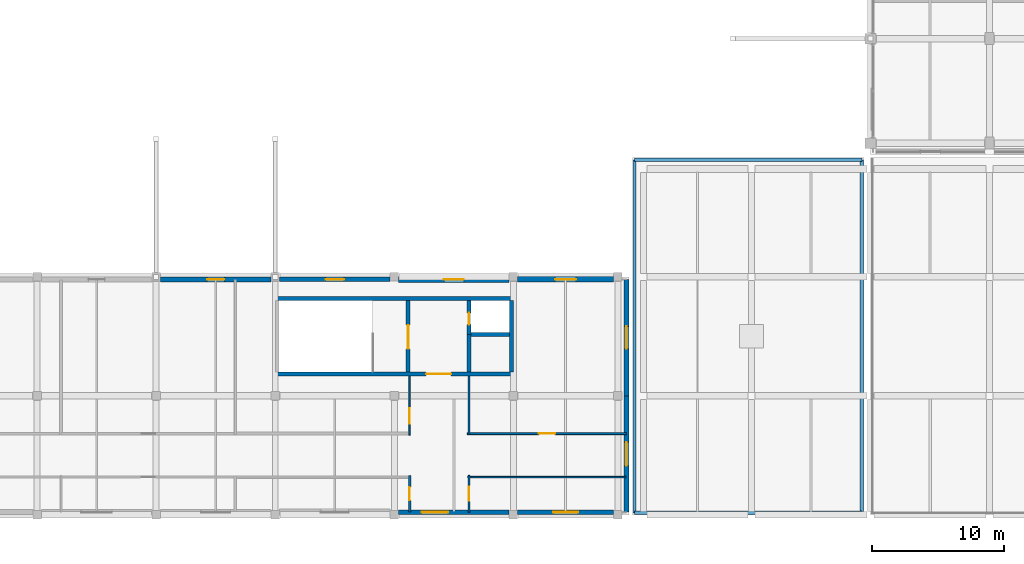
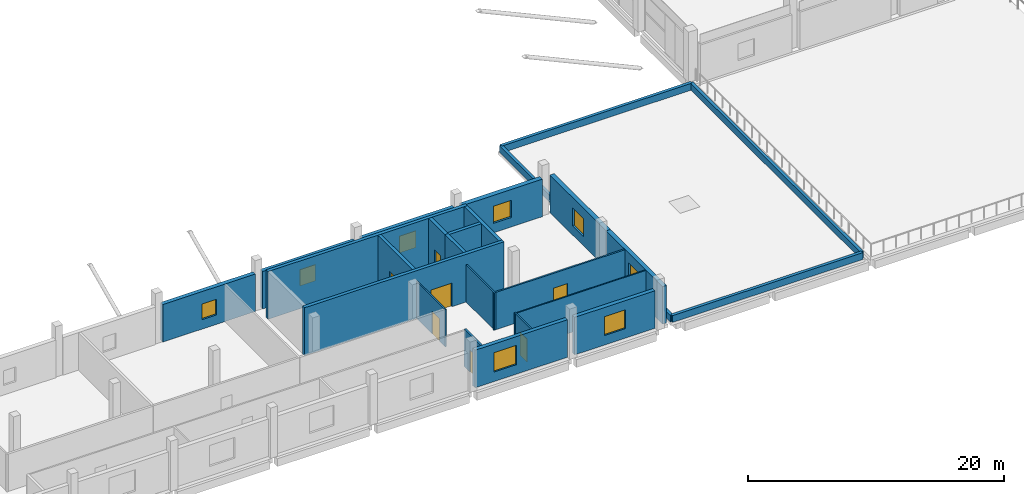
# One storey, part 53 of 82: 25 walls, 8 windows, 7 doors, 15 openings.
"""IFC4 building model written with IfcOpenShell, lengths in metres."""

from ifc_helpers import new_model, si_unit, direction, frame, frame_2d, origin, place, context, subcontext, project, spatial, rectangle, extrude, material, layer, layer_set, type_object, element, fill, save


model = new_model("IFC4")

# Units and contexts
model_context = context("Model", 3, precision=1e-05, world=origin(), true_north=direction((0.0, 1.0)))
body_context = subcontext(model_context, "Body", "Model", "MODEL_VIEW")
ifc_project = project(units=[si_unit("LENGTHUNIT", "METRE"), si_unit("AREAUNIT", "SQUARE_METRE"), si_unit("VOLUMEUNIT", "CUBIC_METRE"), si_unit("PLANEANGLEUNIT", "RADIAN"), si_unit("MASSUNIT", "GRAM", prefix="KILO"), si_unit("THERMODYNAMICTEMPERATUREUNIT", "KELVIN"), si_unit("POWERUNIT", "WATT")], contexts=[model_context])

# Site, building, storey
site_placement = place(None, origin())
site = spatial("IfcSite", under=ifc_project, at=site_placement, CompositionType="ELEMENT")
building_placement = place(site_placement, origin())
building = spatial("IfcBuilding", under=site, at=building_placement, Name="Sindhuravela Promenade Stadium", CompositionType="ELEMENT")
storey_placement = place(building_placement, frame((0.0, 0.0, 14.39990234375)))
storey = spatial("IfcBuildingStorey", under=building, at=storey_placement, Name="L03", CompositionType="ELEMENT", Elevation=14.39990234375)

# Wall, opening, window
ifc_material_1 = material(Name="Terracotta clay brick masonry (15 MPa)", Category="masonry")
ifc_layer_1 = layer(ifc_material_1, 0.340087890625)
ifc_layer_set_1 = layer_set([ifc_layer_1], Name="Terracotta clay brick masonry (15 MPa)")
wall_type_1 = type_object("IfcWallType", Name="EX-WL-BRK340", PredefinedType="SOLIDWALL", material=ifc_layer_set_1)
wall_1_placement = place(storey_placement, frame((135.330078125, 26.800048828125, 0.0), z_axis=(0.0, 0.0, 1.0), x_axis=(1.0, 0.0, 0.0)))
wall_1 = element("IfcWall", 1, at=wall_1_placement, inside=storey, type_object=wall_type_1, Name="Exterior masonry wall EW06 SOUTH L03", PredefinedType="SOLIDWALL", context=body_context, shape_type="SweptSolid", body=[
    extrude(rectangle(XDim=8.33984375, YDim=0.340087890625, at=frame_2d((4.169921875, 0.0))), origin(), (0.0, 0.0, 1.0), 3.580078125),
])
opening_1_placement = place(wall_1_placement, frame((3.469970703125, 0.0, 0.89990234375)))
opening_1 = element("IfcOpeningElement", 2, at=opening_1_placement, cuts=wall_1, Name="Opening W04", PredefinedType="OPENING", context=body_context, shape_type="SweptSolid", body=[
    extrude(rectangle(XDim=1.39990234375, YDim=1.550048828125, at=frame_2d((0.699951171875, 0.77490234375))), frame((0.0, 0.179931640625, 0.0), z_axis=(0.0, -1.0, 0.0), x_axis=(1.0, 0.0, 0.0)), (0.0, 0.0, 1.0), 0.360107421875),
])
ifc_material_2 = material(Name="Tempered laminated low-E glass", Category="glass")
window_type_1 = type_object("IfcWindowType", Name="WN-FAC-1400x1550", PartitioningType="SINGLE_PANEL", PredefinedType="WINDOW", material=ifc_material_2)
window_1_placement = place(opening_1_placement, origin())
window_1 = element("IfcWindow", 3, at=window_1_placement, inside=storey, type_object=window_type_1, Name="Window W04 SOUTH L03", OverallHeight=1.550048828125, OverallWidth=1.39990234375, PartitioningType="SINGLE_PANEL", PredefinedType="WINDOW", context=body_context, shape_type="SweptSolid", body=[
    extrude(rectangle(XDim=1.39990234375, YDim=1.550048828125, at=frame_2d((0.699951171875, 0.77490234375))), frame((0.0, 0.030029296875, 0.0), z_axis=(0.0, -1.0, 0.0), x_axis=(1.0, 0.0, 0.0)), (0.0, 0.0, 1.0), 0.06005859375),
])
fill(opening_1, window_1)

wall_2_placement = place(storey_placement, frame((152.669921875, 9.199951171875, 0.0), z_axis=(0.0, 0.0, 1.0), x_axis=(-1.0, 0.0, 0.0)))
wall_2 = element("IfcWall", 4, at=wall_2_placement, inside=storey, type_object=wall_type_1, Name="Exterior masonry wall EW06 SOUTH L03", PredefinedType="SOLIDWALL", context=body_context, shape_type="SweptSolid", body=[
    extrude(rectangle(XDim=8.33984375, YDim=0.340087890625, at=frame_2d((4.169921875, 0.0))), origin(), (0.0, 0.0, 1.0), 3.580078125),
])
opening_2_placement = place(wall_2_placement, frame((4.60009765625, 0.0, 0.89990234375)))
opening_2 = element("IfcOpeningElement", 5, at=opening_2_placement, cuts=wall_2, Name="Opening W10", PredefinedType="OPENING", context=body_context, shape_type="SweptSolid", body=[
    extrude(rectangle(XDim=2.0, YDim=1.85009765625, at=frame_2d((1.0, 0.925048828125))), frame((0.0, 0.179931640625, 0.0), z_axis=(0.0, -1.0, 0.0), x_axis=(1.0, 0.0, 0.0)), (0.0, 0.0, 1.0), 0.360107421875),
])
window_type_2 = type_object("IfcWindowType", Name="WN-FAC-2000x1850", PartitioningType="DOUBLE_PANEL_VERTICAL", PredefinedType="WINDOW", material=ifc_material_2)
window_2_placement = place(opening_2_placement, origin())
window_2 = element("IfcWindow", 6, at=window_2_placement, inside=storey, type_object=window_type_2, Name="Window W10 SOUTH L03", OverallHeight=1.85009765625, OverallWidth=2.0, PartitioningType="DOUBLE_PANEL_VERTICAL", PredefinedType="WINDOW", context=body_context, shape_type="SweptSolid", body=[
    extrude(rectangle(XDim=2.0, YDim=1.85009765625, at=frame_2d((1.0, 0.925048828125))), frame((0.0, 0.030029296875, 0.0), z_axis=(0.0, -1.0, 0.0), x_axis=(1.0, 0.0, 0.0)), (0.0, 0.0, 1.0), 0.06005859375),
])
fill(opening_2, window_2)

ifc_layer_2 = layer(ifc_material_1, 0.360107421875)
ifc_layer_set_2 = layer_set([ifc_layer_2], Name="Terracotta clay brick masonry (15 MPa)")
wall_type_2 = type_object("IfcWallType", Name="EX-WL-BRK360", PredefinedType="SOLIDWALL", material=ifc_layer_set_2)
wall_3_placement = place(storey_placement, frame((126.330078125, 26.800048828125, 0.0), z_axis=(0.0, 0.0, 1.0), x_axis=(1.0, 0.0, 0.0)))
wall_3 = element("IfcWall", 7, at=wall_3_placement, inside=storey, type_object=wall_type_2, Name="Exterior masonry wall EW05 SOUTH L03", PredefinedType="SOLIDWALL", context=body_context, shape_type="SweptSolid", body=[
    extrude(rectangle(XDim=8.33984375, YDim=0.360107421875, at=frame_2d((4.169921875, 0.0))), origin(), (0.0, 0.0, 1.0), 3.580078125),
])
opening_3_placement = place(wall_3_placement, frame((3.52001953125, 0.0, 0.89990234375)))
opening_3 = element("IfcOpeningElement", 8, at=opening_3_placement, cuts=wall_3, Name="Opening W03", PredefinedType="OPENING", context=body_context, shape_type="SweptSolid", body=[
    extrude(rectangle(XDim=1.300048828125, YDim=1.5, at=frame_2d((0.64990234375, 0.75))), frame((0.0, 0.18994140625, 0.0), z_axis=(0.0, -1.0, 0.0), x_axis=(1.0, 0.0, 0.0)), (0.0, 0.0, 1.0), 0.380126953125),
])
window_type_3 = type_object("IfcWindowType", Name="WN-FAC-1300x1500", PartitioningType="SINGLE_PANEL", PredefinedType="WINDOW", material=ifc_material_2)
window_3_placement = place(opening_3_placement, origin())
window_3 = element("IfcWindow", 9, at=window_3_placement, inside=storey, type_object=window_type_3, Name="Window W03 SOUTH L03", OverallHeight=1.5, OverallWidth=1.300048828125, PartitioningType="SINGLE_PANEL", PredefinedType="WINDOW", context=body_context, shape_type="SweptSolid", body=[
    extrude(rectangle(XDim=1.300048828125, YDim=1.5, at=frame_2d((0.64990234375, 0.75))), frame((0.0, 0.030029296875, 0.0), z_axis=(0.0, -1.0, 0.0), x_axis=(1.0, 0.0, 0.0)), (0.0, 0.0, 1.0), 0.06005859375),
])
fill(opening_3, window_3)

wall_4_placement = place(storey_placement, frame((160.570068359375, 9.199951171875, 0.0), z_axis=(0.0, 0.0, 1.0), x_axis=(-1.0, 0.0, 0.0)))
wall_4 = element("IfcWall", 10, at=wall_4_placement, inside=storey, type_object=wall_type_2, Name="Exterior masonry wall EW05 SOUTH L03", PredefinedType="SOLIDWALL", context=body_context, shape_type="SweptSolid", body=[
    extrude(rectangle(XDim=7.239990234375, YDim=0.360107421875, at=frame_2d((3.6201171875, 0.0))), origin(), (0.0, 0.0, 1.0), 3.580078125),
])
opening_4_placement = place(wall_4_placement, frame((2.669921875, 0.0, 0.89990234375)))
opening_4 = element("IfcOpeningElement", 11, at=opening_4_placement, cuts=wall_4, Name="Opening W09", PredefinedType="OPENING", context=body_context, shape_type="SweptSolid", body=[
    extrude(rectangle(XDim=1.89990234375, YDim=1.800048828125, at=frame_2d((0.949951171875, 0.89990234375))), frame((0.0, 0.18994140625, 0.0), z_axis=(0.0, -1.0, 0.0), x_axis=(1.0, 0.0, 0.0)), (0.0, 0.0, 1.0), 0.380126953125),
])
window_type_4 = type_object("IfcWindowType", Name="WN-FAC-1900x1800", PartitioningType="DOUBLE_PANEL_VERTICAL", PredefinedType="WINDOW", material=ifc_material_2)
window_4_placement = place(opening_4_placement, origin())
window_4 = element("IfcWindow", 12, at=window_4_placement, inside=storey, type_object=window_type_4, Name="Window W09 SOUTH L03", OverallHeight=1.800048828125, OverallWidth=1.89990234375, PartitioningType="DOUBLE_PANEL_VERTICAL", PredefinedType="WINDOW", context=body_context, shape_type="SweptSolid", body=[
    extrude(rectangle(XDim=1.89990234375, YDim=1.800048828125, at=frame_2d((0.949951171875, 0.89990234375))), frame((0.0, 0.030029296875, 0.0), z_axis=(0.0, -1.0, 0.0), x_axis=(1.0, 0.0, 0.0)), (0.0, 0.0, 1.0), 0.06005859375),
])
fill(opening_4, window_4)

ifc_layer_3 = layer(ifc_material_1, 0.3798828125)
ifc_layer_set_3 = layer_set([ifc_layer_3], Name="Terracotta clay brick masonry (15 MPa)")
wall_type_3 = type_object("IfcWallType", Name="EX-WL-BRK380", PredefinedType="SOLIDWALL", material=ifc_layer_set_3)
wall_5_placement = place(storey_placement, frame((161.550048828125, 18.0, 0.0), z_axis=(0.0, 0.0, 1.0), x_axis=(0.0, -1.0, 0.0)))
wall_5 = element("IfcWall", 13, at=wall_5_placement, inside=storey, type_object=wall_type_3, Name="Exterior masonry wall EW04 SOUTH L03", PredefinedType="SOLIDWALL", context=body_context, shape_type="SweptSolid", body=[
    extrude(rectangle(XDim=8.800048828125, YDim=0.3798828125, at=frame_2d((4.39990234375, 0.0))), origin(), (0.0, 0.0, 1.0), 3.580078125),
])
opening_5_placement = place(wall_5_placement, frame((3.5, 0.0, 0.89990234375)))
opening_5 = element("IfcOpeningElement", 14, at=opening_5_placement, cuts=wall_5, Name="Opening W08", PredefinedType="OPENING", context=body_context, shape_type="SweptSolid", body=[
    extrude(rectangle(XDim=1.800048828125, YDim=1.75, at=frame_2d((0.89990234375, 0.875))), frame((0.0, 0.199951171875, 0.0), z_axis=(0.0, -1.0, 0.0), x_axis=(1.0, 0.0, 0.0)), (0.0, 0.0, 1.0), 0.39990234375),
])
window_type_5 = type_object("IfcWindowType", Name="WN-FAC-1800x1750", PartitioningType="DOUBLE_PANEL_VERTICAL", PredefinedType="WINDOW", material=ifc_material_2)
window_5_placement = place(opening_5_placement, origin())
window_5 = element("IfcWindow", 15, at=window_5_placement, inside=storey, type_object=window_type_5, Name="Window W08 SOUTH L03", OverallHeight=1.75, OverallWidth=1.800048828125, PartitioningType="DOUBLE_PANEL_VERTICAL", PredefinedType="WINDOW", context=body_context, shape_type="SweptSolid", body=[
    extrude(rectangle(XDim=1.800048828125, YDim=1.75, at=frame_2d((0.89990234375, 0.875))), frame((0.0, 0.030029296875, 0.0), z_axis=(0.0, -1.0, 0.0), x_axis=(1.0, 0.0, 0.0)), (0.0, 0.0, 1.0), 0.06005859375),
])
fill(opening_5, window_5)

ifc_layer_4 = layer(ifc_material_1, 0.39990234375)
ifc_layer_set_4 = layer_set([ifc_layer_4], Name="Terracotta clay brick masonry (15 MPa)")
wall_type_4 = type_object("IfcWallType", Name="EX-WL-BRK400", PredefinedType="SOLIDWALL", material=ifc_layer_set_4)
wall_6_placement = place(storey_placement, frame((161.550048828125, 26.800048828125, 0.0), z_axis=(0.0, 0.0, 1.0), x_axis=(0.0, -1.0, 0.0)))
wall_6 = element("IfcWall", 16, at=wall_6_placement, inside=storey, type_object=wall_type_4, Name="Exterior masonry wall EW03 SOUTH L03", PredefinedType="SOLIDWALL", context=body_context, shape_type="SweptSolid", body=[
    extrude(rectangle(XDim=8.800048828125, YDim=0.39990234375, at=frame_2d((4.39990234375, 0.0))), origin(), (0.0, 0.0, 1.0), 3.580078125),
])
opening_6_placement = place(wall_6_placement, frame((3.550048828125, 0.0, 0.89990234375)))
opening_6 = element("IfcOpeningElement", 17, at=opening_6_placement, cuts=wall_6, Name="Opening W07", PredefinedType="OPENING", context=body_context, shape_type="SweptSolid", body=[
    extrude(rectangle(XDim=1.699951171875, YDim=1.699951171875, at=frame_2d((0.85009765625, 0.85009765625))), frame((0.0, 0.2099609375, 0.0), z_axis=(0.0, -1.0, 0.0), x_axis=(1.0, 0.0, 0.0)), (0.0, 0.0, 1.0), 0.419921875),
])
window_type_6 = type_object("IfcWindowType", Name="WN-FAC-1700x1700", PartitioningType="SINGLE_PANEL", PredefinedType="WINDOW", material=ifc_material_2)
window_6_placement = place(opening_6_placement, origin())
window_6 = element("IfcWindow", 18, at=window_6_placement, inside=storey, type_object=window_type_6, Name="Window W07 SOUTH L03", OverallHeight=1.699951171875, OverallWidth=1.699951171875, PartitioningType="SINGLE_PANEL", PredefinedType="WINDOW", context=body_context, shape_type="SweptSolid", body=[
    extrude(rectangle(XDim=1.699951171875, YDim=1.699951171875, at=frame_2d((0.85009765625, 0.85009765625))), frame((0.0, 0.030029296875, 0.0), z_axis=(0.0, -1.0, 0.0), x_axis=(1.0, 0.0, 0.0)), (0.0, 0.0, 1.0), 0.06005859375),
])
fill(opening_6, window_6)

ifc_layer_5 = layer(ifc_material_1, 0.419921875)
ifc_layer_set_5 = layer_set([ifc_layer_5], Name="Terracotta clay brick masonry (15 MPa)")
wall_type_5 = type_object("IfcWallType", Name="EX-WL-BRK420", PredefinedType="SOLIDWALL", material=ifc_layer_set_5)
wall_7_placement = place(storey_placement, frame((153.330078125, 26.800048828125, 0.0), z_axis=(0.0, 0.0, 1.0), x_axis=(1.0, 0.0, 0.0)))
wall_7 = element("IfcWall", 19, at=wall_7_placement, inside=storey, type_object=wall_type_5, Name="Exterior masonry wall EW02 SOUTH L03", PredefinedType="SOLIDWALL", context=body_context, shape_type="SweptSolid", body=[
    extrude(rectangle(XDim=7.239990234375, YDim=0.419921875, at=frame_2d((3.6201171875, 0.0))), origin(), (0.0, 0.0, 1.0), 3.580078125),
])
opening_7_placement = place(wall_7_placement, frame((2.820068359375, 0.0, 0.89990234375)))
opening_7 = element("IfcOpeningElement", 20, at=opening_7_placement, cuts=wall_7, Name="Opening W06", PredefinedType="OPENING", context=body_context, shape_type="SweptSolid", body=[
    extrude(rectangle(XDim=1.60009765625, YDim=1.64990234375, at=frame_2d((0.800048828125, 0.824951171875))), frame((0.0, 0.219970703125, 0.0), z_axis=(0.0, -1.0, 0.0), x_axis=(1.0, 0.0, 0.0)), (0.0, 0.0, 1.0), 0.43994140625),
])
window_type_7 = type_object("IfcWindowType", Name="WN-FAC-1600x1650", PartitioningType="SINGLE_PANEL", PredefinedType="WINDOW", material=ifc_material_2)
window_7_placement = place(opening_7_placement, origin())
window_7 = element("IfcWindow", 21, at=window_7_placement, inside=storey, type_object=window_type_7, Name="Window W06 SOUTH L03", OverallHeight=1.64990234375, OverallWidth=1.60009765625, PartitioningType="SINGLE_PANEL", PredefinedType="WINDOW", context=body_context, shape_type="SweptSolid", body=[
    extrude(rectangle(XDim=1.60009765625, YDim=1.64990234375, at=frame_2d((0.800048828125, 0.824951171875))), frame((0.0, 0.030029296875, 0.0), z_axis=(0.0, -1.0, 0.0), x_axis=(1.0, 0.0, 0.0)), (0.0, 0.0, 1.0), 0.06005859375),
])
fill(opening_7, window_7)

ifc_layer_6 = layer(ifc_material_1, 0.4599609375)
ifc_layer_set_6 = layer_set([ifc_layer_6], Name="Terracotta clay brick masonry (15 MPa)")
wall_type_6 = type_object("IfcWallType", Name="EX-WL-BRK460", PredefinedType="SOLIDWALL", material=ifc_layer_set_6)
wall_8_placement = place(storey_placement, frame((144.330078125, 26.800048828125, 0.0), z_axis=(0.0, 0.0, 1.0), x_axis=(1.0, 0.0, 0.0)))
wall_8 = element("IfcWall", 22, at=wall_8_placement, inside=storey, type_object=wall_type_6, Name="Exterior masonry wall EW01 SOUTH L03", PredefinedType="SOLIDWALL", context=body_context, shape_type="SweptSolid", body=[
    extrude(rectangle(XDim=8.33984375, YDim=0.4599609375, at=frame_2d((4.169921875, 0.0))), origin(), (0.0, 0.0, 1.0), 3.580078125),
])
opening_8_placement = place(wall_8_placement, frame((3.419921875, 0.0, 0.89990234375)))
opening_8 = element("IfcOpeningElement", 23, at=opening_8_placement, cuts=wall_8, Name="Opening W05", PredefinedType="OPENING", context=body_context, shape_type="SweptSolid", body=[
    extrude(rectangle(XDim=1.5, YDim=1.60009765625, at=frame_2d((0.75, 0.800048828125))), frame((0.0, 0.239990234375, 0.0), z_axis=(0.0, -1.0, 0.0), x_axis=(1.0, 0.0, 0.0)), (0.0, 0.0, 1.0), 0.47998046875),
])
window_type_8 = type_object("IfcWindowType", Name="WN-FAC-1500x1600", PartitioningType="SINGLE_PANEL", PredefinedType="WINDOW", material=ifc_material_2)
window_8_placement = place(opening_8_placement, origin())
window_8 = element("IfcWindow", 24, at=window_8_placement, inside=storey, type_object=window_type_8, Name="Window W05 SOUTH L03", OverallHeight=1.60009765625, OverallWidth=1.5, PartitioningType="SINGLE_PANEL", PredefinedType="WINDOW", context=body_context, shape_type="SweptSolid", body=[
    extrude(rectangle(XDim=1.5, YDim=1.60009765625, at=frame_2d((0.75, 0.800048828125))), frame((0.0, 0.030029296875, 0.0), z_axis=(0.0, -1.0, 0.0), x_axis=(1.0, 0.0, 0.0)), (0.0, 0.0, 1.0), 0.06005859375),
])
fill(opening_8, window_8)

# Walls
ifc_material_3 = material(Name="Dholpur sandstone ashlar (45 MPa)", Category="masonry")
ifc_layer_7 = layer(ifc_material_3, 0.25)
ifc_layer_set_7 = layer_set([ifc_layer_7], Name="Dholpur sandstone ashlar (45 MPa)")
wall_type_7 = type_object("IfcWallType", Name="EX-WL-PAR250", PredefinedType="PARAPET", material=ifc_layer_set_7)
for number, where, z_axis, x_axis, name in (
    (25, (162.159912109375, 9.159912109375, 0.0), (0.0, 0.0, 1.0), (0.0, 1.0, 0.0), "Maintenance roof parapet Pavilion SE 23"),
    (26, (179.340087890625, 35.840087890625, 0.0), (0.0, 0.0, 1.0), (0.0, -1.0, 0.0), "Maintenance roof parapet Pavilion SE 25"),
):
    element("IfcWall", number, at=place(storey_placement, frame(where, z_axis=z_axis, x_axis=x_axis)), inside=storey, type_object=wall_type_7, Name=name, PredefinedType="PARAPET", context=body_context, shape_type="SweptSolid", body=[
        extrude(rectangle(XDim=26.68017578125, YDim=0.25, at=frame_2d((13.340087890625, 0.0))), origin(), (0.0, 0.0, 1.0), 0.650146484375),
    ])
ifc_layer_8 = layer(ifc_material_1, 0.27001953125)
ifc_layer_set_8 = layer_set([ifc_layer_8], Name="Terracotta clay brick masonry (15 MPa)")
wall_type_8 = type_object("IfcWallType", Name="EX-WL-PAR270", PredefinedType="PARAPET", material=ifc_layer_set_8)
for number, where, z_axis, x_axis, name in (
    (27, (179.340087890625, 9.159912109375, 0.0), (0.0, 0.0, 1.0), (-1.0, 0.0, 0.0), "Maintenance roof parapet Pavilion SE 22"),
    (28, (162.159912109375, 35.840087890625, 0.0), (0.0, 0.0, 1.0), (1.0, 0.0, 0.0), "Maintenance roof parapet Pavilion SE 24"),
):
    element("IfcWall", number, at=place(storey_placement, frame(where, z_axis=z_axis, x_axis=x_axis)), inside=storey, type_object=wall_type_8, Name=name, PredefinedType="PARAPET", context=body_context, shape_type="SweptSolid", body=[
        extrude(rectangle(XDim=17.18017578125, YDim=0.27001953125, at=frame_2d((8.590087890625, 0.0))), origin(), (0.0, 0.0, 1.0), 0.650146484375),
    ])

# Wall, opening, door
ifc_material_4 = material(Name="Fire-rated gypsum partition board", Category="gypsum")
ifc_layer_9 = layer(ifc_material_4, 0.110107421875)
ifc_layer_set_9 = layer_set([ifc_layer_9], Name="Fire-rated gypsum partition board")
wall_type_9 = type_object("IfcWallType", Name="IN-WL-PAR110", PredefinedType="PARTITIONING", material=ifc_layer_set_9)
wall_9_placement = place(storey_placement, frame((145.159912109375, 15.02001953125, 0.0), z_axis=(0.0, 0.0, 1.0), x_axis=(0.0, 1.0, 0.0)))
wall_9 = element("IfcWall", 29, at=wall_9_placement, inside=storey, type_object=wall_type_9, Name="Corridor partition IW06 South Community Lecture Hall 2", PredefinedType="PARTITIONING", context=body_context, shape_type="SweptSolid", body=[
    extrude(rectangle(XDim=4.47802734375, YDim=0.110107421875, at=frame_2d((2.239013671875, 0.0))), origin(), (0.0, 0.0, 1.0), 3.56005859375),
])
opening_9_placement = place(wall_9_placement, frame((0.876220703125, 0.0, 0.0)))
opening_9 = element("IfcOpeningElement", 30, at=opening_9_placement, cuts=wall_9, Name="Opening ID05", PredefinedType="OPENING", context=body_context, shape_type="SweptSolid", body=[
    extrude(rectangle(XDim=1.14990234375, YDim=2.14990234375, at=frame_2d((0.574951171875, 1.074951171875))), frame((0.0, 0.06494140625, 0.0), z_axis=(0.0, -1.0, 0.0), x_axis=(1.0, 0.0, 0.0)), (0.0, 0.0, 1.0), 0.130126953125),
])
ifc_material_5 = material(Name="Architectural teak timber leaf", Category="wood")
door_type_1 = type_object("IfcDoorType", Name="DR-INT-1150x2150", OperationType="NOTDEFINED", PredefinedType="DOOR", material=ifc_material_5)
door_1_placement = place(opening_9_placement, origin())
door_1 = element("IfcDoor", 31, at=door_1_placement, inside=storey, type_object=door_type_1, Name="South Community Lecture Hall 2 door", OperationType="SINGLE_SWING_LEFT", OverallHeight=2.14990234375, OverallWidth=1.14990234375, PredefinedType="DOOR", context=body_context, shape_type="SweptSolid", body=[
    extrude(rectangle(XDim=1.14990234375, YDim=2.14990234375, at=frame_2d((0.574951171875, 1.074951171875))), frame((0.0, 0.02490234375, 0.0), z_axis=(0.0, -1.0, 0.0), x_axis=(1.0, 0.0, 0.0)), (0.0, 0.0, 1.0), 0.050048828125),
])
fill(opening_9, door_1)

# Walls
wall_10_placement = place(storey_placement, frame((149.56005859375, 11.860107421875, 0.0), z_axis=(0.0, 0.0, 1.0), x_axis=(1.0, 0.0, 0.0)))
element("IfcWall", 32, at=wall_10_placement, inside=storey, type_object=wall_type_9, Name="Interior partition IW06 SOUTH L03", PredefinedType="PARTITIONING", context=body_context, shape_type="SweptSolid", body=[
    extrude(rectangle(XDim=11.949951171875, YDim=0.110107421875, at=frame_2d((5.97509765625, 0.0))), origin(), (0.0, 0.0, 1.0), 3.56005859375),
])
ifc_layer_10 = layer(ifc_material_4, 0.1298828125)
ifc_layer_set_10 = layer_set([ifc_layer_10], Name="Fire-rated gypsum partition board")
wall_type_10 = type_object("IfcWallType", Name="IN-WL-PAR130", PredefinedType="PARTITIONING", material=ifc_layer_set_10)
wall_11_placement = place(storey_placement, frame((149.639892578125, 15.06005859375, 0.0), z_axis=(0.0, 0.0, 1.0), x_axis=(0.0, 1.0, 0.0)))
element("IfcWall", 33, at=wall_11_placement, inside=storey, type_object=wall_type_10, Name="Interior partition IW05 SOUTH L03", PredefinedType="PARTITIONING", context=body_context, shape_type="SweptSolid", body=[
    extrude(rectangle(XDim=4.43798828125, YDim=0.1298828125, at=frame_2d((2.218994140625, 0.0))), origin(), (0.0, 0.0, 1.0), 3.56005859375),
])

# Wall, opening, door
wall_12_placement = place(storey_placement, frame((149.639892578125, 11.97998046875, 0.0), z_axis=(0.0, 0.0, 1.0), x_axis=(0.0, -1.0, 0.0)))
wall_12 = element("IfcWall", 34, at=wall_12_placement, inside=storey, type_object=wall_type_10, Name="Corridor partition IW05 Civic Sports Heritage Room 9", PredefinedType="PARTITIONING", context=body_context, shape_type="SweptSolid", body=[
    extrude(rectangle(XDim=2.780029296875, YDim=0.1298828125, at=frame_2d((1.39013671875, 0.0))), origin(), (0.0, 0.0, 1.0), 3.56005859375),
])
opening_10_placement = place(wall_12_placement, frame((0.85009765625, 0.0, 0.0)))
opening_10 = element("IfcOpeningElement", 35, at=opening_10_placement, cuts=wall_12, Name="Opening ID12", PredefinedType="OPENING", context=body_context, shape_type="SweptSolid", body=[
    extrude(rectangle(XDim=1.080078125, YDim=2.179931640625, at=frame_2d((0.5400390625, 1.08984375))), frame((0.0, 0.074951171875, 0.0), z_axis=(0.0, -1.0, 0.0), x_axis=(1.0, 0.0, 0.0)), (0.0, 0.0, 1.0), 0.14990234375),
])
door_type_2 = type_object("IfcDoorType", Name="DR-INT-1080x2180", OperationType="NOTDEFINED", PredefinedType="DOOR", material=ifc_material_5)
door_2_placement = place(opening_10_placement, origin())
door_2 = element("IfcDoor", 36, at=door_2_placement, inside=storey, type_object=door_type_2, Name="Civic Sports Heritage Room 9 door", OperationType="SINGLE_SWING_RIGHT", OverallHeight=2.179931640625, OverallWidth=1.080078125, PredefinedType="DOOR", context=body_context, shape_type="SweptSolid", body=[
    extrude(rectangle(XDim=1.080078125, YDim=2.179931640625, at=frame_2d((0.5400390625, 1.08984375))), frame((0.0, 0.02490234375, 0.0), z_axis=(0.0, -1.0, 0.0), x_axis=(1.0, 0.0, 0.0)), (0.0, 0.0, 1.0), 0.050048828125),
])
fill(opening_10, door_2)

ifc_layer_11 = layer(ifc_material_4, 0.14990234375)
ifc_layer_set_11 = layer_set([ifc_layer_11], Name="Fire-rated gypsum partition board")
wall_type_11 = type_object("IfcWallType", Name="IN-WL-PAR150", PredefinedType="PARTITIONING", material=ifc_layer_set_11)
wall_13_placement = place(storey_placement, frame((149.52001953125, 15.139892578125, 0.0), z_axis=(0.0, 0.0, 1.0), x_axis=(1.0, 0.0, 0.0)))
wall_13 = element("IfcWall", 37, at=wall_13_placement, inside=storey, type_object=wall_type_11, Name="Corridor partition IW04 Public Toilet Block South L03", PredefinedType="PARTITIONING", context=body_context, shape_type="SweptSolid", body=[
    extrude(rectangle(XDim=12.030029296875, YDim=0.14990234375, at=frame_2d((6.01513671875, 0.0))), origin(), (0.0, 0.0, 1.0), 3.56005859375),
])
opening_11_placement = place(wall_13_placement, frame((5.389892578125, 0.0, 0.0)))
opening_11 = element("IfcOpeningElement", 38, at=opening_11_placement, cuts=wall_13, Name="Opening ID04", PredefinedType="OPENING", context=body_context, shape_type="SweptSolid", body=[
    extrude(rectangle(XDim=1.25, YDim=2.14990234375, at=frame_2d((0.625, 1.074951171875))), frame((0.0, 0.0849609375, 0.0), z_axis=(0.0, -1.0, 0.0), x_axis=(1.0, 0.0, 0.0)), (0.0, 0.0, 1.0), 0.169921875),
])
door_type_3 = type_object("IfcDoorType", Name="DR-INT-1250x2150", OperationType="NOTDEFINED", PredefinedType="DOOR", material=ifc_material_5)
door_3_placement = place(opening_11_placement, origin())
door_3 = element("IfcDoor", 39, at=door_3_placement, inside=storey, type_object=door_type_3, Name="Public Toilet Block South L03 door", OperationType="SINGLE_SWING_RIGHT", OverallHeight=2.14990234375, OverallWidth=1.25, PredefinedType="DOOR", context=body_context, shape_type="SweptSolid", body=[
    extrude(rectangle(XDim=1.25, YDim=2.14990234375, at=frame_2d((0.625, 1.074951171875))), frame((0.0, 0.02490234375, 0.0), z_axis=(0.0, -1.0, 0.0), x_axis=(1.0, 0.0, 0.0)), (0.0, 0.0, 1.0), 0.050048828125),
])
fill(opening_11, door_3)

ifc_layer_12 = layer(ifc_material_4, 0.195068359375)
ifc_layer_set_12 = layer_set([ifc_layer_12], Name="Fire-rated gypsum partition board")
wall_type_12 = type_object("IfcWallType", Name="IN-WL-PAR195", PredefinedType="PARTITIONING", material=ifc_layer_set_12)
wall_14_placement = place(storey_placement, frame((145.159912109375, 9.199951171875, 0.0), z_axis=(0.0, 0.0, 1.0), x_axis=(0.0, 1.0, 0.0)))
wall_14 = element("IfcWall", 40, at=wall_14_placement, inside=storey, type_object=wall_type_12, Name="Corridor partition IW02 Accessible WC South L03 5", PredefinedType="PARTITIONING", context=body_context, shape_type="SweptSolid", body=[
    extrude(rectangle(XDim=2.780029296875, YDim=0.195068359375, at=frame_2d((1.39013671875, 0.0))), origin(), (0.0, 0.0, 1.0), 3.56005859375),
])
opening_12_placement = place(wall_14_placement, frame((0.889892578125, 0.0, 0.0)))
opening_12 = element("IfcOpeningElement", 41, at=opening_12_placement, cuts=wall_14, Name="Opening ID08", PredefinedType="OPENING", context=body_context, shape_type="SweptSolid", body=[
    extrude(rectangle(XDim=1.0, YDim=2.10009765625, at=frame_2d((0.5, 1.050048828125))), frame((0.0, 0.107421875, 0.0), z_axis=(0.0, -1.0, 0.0), x_axis=(1.0, 0.0, 0.0)), (0.0, 0.0, 1.0), 0.215087890625),
])
door_type_4 = type_object("IfcDoorType", Name="DR-INT-1000x2100", OperationType="NOTDEFINED", PredefinedType="DOOR", material=ifc_material_5)
door_4_placement = place(opening_12_placement, origin())
door_4 = element("IfcDoor", 42, at=door_4_placement, inside=storey, type_object=door_type_4, Name="Accessible WC South L03 5 door", OperationType="SINGLE_SWING_RIGHT", OverallHeight=2.10009765625, OverallWidth=1.0, PredefinedType="DOOR", context=body_context, shape_type="SweptSolid", body=[
    extrude(rectangle(XDim=1.0, YDim=2.10009765625, at=frame_2d((0.5, 1.050048828125))), frame((0.0, 0.02490234375, 0.0), z_axis=(0.0, -1.0, 0.0), x_axis=(1.0, 0.0, 0.0)), (0.0, 0.0, 1.0), 0.050048828125),
])
fill(opening_12, door_4)

ifc_material_6 = material(Name="Concrete M50", Category="concrete")
ifc_layer_13 = layer(ifc_material_6, 0.300048828125)
ifc_layer_set_13 = layer_set([ifc_layer_13], Name="Concrete M50")
wall_type_13 = type_object("IfcWallType", Name="RC-SW-300", PredefinedType="SHEAR", material=ifc_layer_set_13)
wall_15_placement = place(storey_placement, frame((135.0, 19.64990234375, 0.0), z_axis=(0.0, 0.0, 1.0), x_axis=(1.0, 0.0, 0.0)))
wall_15 = element("IfcWall", 43, at=wall_15_placement, inside=storey, type_object=wall_type_13, Name="Core shear wall C12-S (L03)", PredefinedType="SHEAR", context=body_context, shape_type="SweptSolid", body=[
    extrude(rectangle(XDim=18.0, YDim=0.300048828125, at=frame_2d((9.0, 0.0))), origin(), (0.0, 0.0, 1.0), 4.55517578125),
])
opening_13_placement = place(wall_15_placement, frame((11.39990234375, 0.0, 0.0)))
opening_13 = element("IfcOpeningElement", 44, at=opening_13_placement, cuts=wall_15, Name="Opening FD02", PredefinedType="OPENING", context=body_context, shape_type="SweptSolid", body=[
    extrude(rectangle(XDim=1.89990234375, YDim=2.25, at=frame_2d((0.949951171875, 1.125))), frame((0.0, 0.159912109375, 0.0), z_axis=(0.0, -1.0, 0.0), x_axis=(1.0, 0.0, 0.0)), (0.0, 0.0, 1.0), 0.320068359375),
])
ifc_material_7 = material(Name="Architectural wrought steel E350", Category="steel")
door_type_5 = type_object("IfcDoorType", Name="DR-LOB-1900x2250", OperationType="DOUBLE_DOOR_SINGLE_SWING", PredefinedType="DOOR", material=ifc_material_7)
door_5_placement = place(opening_13_placement, origin())
door_5 = element("IfcDoor", 45, at=door_5_placement, inside=storey, type_object=door_type_5, Name="Protected lobby entrance door C12 (L03)", OperationType="DOUBLE_DOOR_SINGLE_SWING", OverallHeight=2.25, OverallWidth=1.89990234375, PredefinedType="DOOR", context=body_context, shape_type="SweptSolid", body=[
    extrude(rectangle(XDim=1.89990234375, YDim=2.25, at=frame_2d((0.949951171875, 1.125))), frame((0.0, 0.02490234375, 0.0), z_axis=(0.0, -1.0, 0.0), x_axis=(1.0, 0.0, 0.0)), (0.0, 0.0, 1.0), 0.050048828125),
])
fill(opening_13, door_5)

# Walls
wall_16_placement = place(storey_placement, frame((153.0, 25.35009765625, 0.0), z_axis=(0.0, 0.0, 1.0), x_axis=(-1.0, 0.0, 0.0)))
element("IfcWall", 46, at=wall_16_placement, inside=storey, type_object=wall_type_13, Name="Core shear wall C12-N (L03)", PredefinedType="SHEAR", context=body_context, shape_type="SweptSolid", body=[
    extrude(rectangle(XDim=18.0, YDim=0.300048828125, at=frame_2d((9.0, 0.0))), origin(), (0.0, 0.0, 1.0), 4.55517578125),
])
wall_17_placement = place(storey_placement, frame((152.85009765625, 19.800048828125, 0.0), z_axis=(0.0, 0.0, 1.0), x_axis=(0.0, 1.0, 0.0)))
element("IfcWall", 47, at=wall_17_placement, inside=storey, type_object=wall_type_13, Name="Core shear wall C12-E (L03)", PredefinedType="SHEAR", context=body_context, shape_type="SweptSolid", body=[
    extrude(rectangle(XDim=5.39990234375, YDim=0.300048828125, at=frame_2d((2.699951171875, 0.0))), origin(), (0.0, 0.0, 1.0), 4.55517578125),
])

# Wall, opening, door
wall_18_placement = place(storey_placement, frame((145.050048828125, 19.800048828125, 0.0), z_axis=(0.0, 0.0, 1.0), x_axis=(0.0, 1.0, 0.0)))
wall_18 = element("IfcWall", 48, at=wall_18_placement, inside=storey, type_object=wall_type_13, Name="Core shear wall C12-ST (L03)", PredefinedType="SHEAR", context=body_context, shape_type="SweptSolid", body=[
    extrude(rectangle(XDim=5.39990234375, YDim=0.300048828125, at=frame_2d((2.699951171875, 0.0))), origin(), (0.0, 0.0, 1.0), 4.55517578125),
])
opening_14_placement = place(wall_18_placement, frame((1.75, 0.0, 0.0)))
opening_14 = element("IfcOpeningElement", 49, at=opening_14_placement, cuts=wall_18, Name="Opening FD01", PredefinedType="OPENING", context=body_context, shape_type="SweptSolid", body=[
    extrude(rectangle(XDim=1.800048828125, YDim=2.25, at=frame_2d((0.89990234375, 1.125))), frame((0.0, 0.159912109375, 0.0), z_axis=(0.0, -1.0, 0.0), x_axis=(1.0, 0.0, 0.0)), (0.0, 0.0, 1.0), 0.320068359375),
])
door_type_6 = type_object("IfcDoorType", Name="DR-CORE-1800x2250", OperationType="DOUBLE_DOOR_SINGLE_SWING", PredefinedType="DOOR", material=ifc_material_7)
door_6_placement = place(opening_14_placement, origin())
door_6 = element("IfcDoor", 50, at=door_6_placement, inside=storey, type_object=door_type_6, Name="Stair ST12 lobby fire door (L03)", OperationType="DOUBLE_DOOR_SINGLE_SWING", OverallHeight=2.25, OverallWidth=1.800048828125, PredefinedType="DOOR", context=body_context, shape_type="SweptSolid", body=[
    extrude(rectangle(XDim=1.800048828125, YDim=2.25, at=frame_2d((0.89990234375, 1.125))), frame((0.0, 0.02490234375, 0.0), z_axis=(0.0, -1.0, 0.0), x_axis=(1.0, 0.0, 0.0)), (0.0, 0.0, 1.0), 0.050048828125),
])
fill(opening_14, door_6)

# Wall
wall_19_placement = place(storey_placement, frame((149.64990234375, 19.800048828125, 0.0), z_axis=(0.0, 0.0, 1.0), x_axis=(0.0, 1.0, 0.0)))
element("IfcWall", 51, at=wall_19_placement, inside=storey, type_object=wall_type_13, Name="Core shear wall C12-LFT (L03)", PredefinedType="SHEAR", context=body_context, shape_type="SweptSolid", body=[
    extrude(rectangle(XDim=2.849853515625, YDim=0.300048828125, at=frame_2d((1.4248046875, 0.0))), origin(), (0.0, 0.0, 1.0), 4.55517578125),
])

# Wall, opening, door
wall_20_placement = place(storey_placement, frame((149.64990234375, 22.64990234375, 0.0), z_axis=(0.0, 0.0, 1.0), x_axis=(0.0, 1.0, 0.0)))
wall_20 = element("IfcWall", 52, at=wall_20_placement, inside=storey, type_object=wall_type_13, Name="Core shear wall C12-RSR (L03)", PredefinedType="SHEAR", context=body_context, shape_type="SweptSolid", body=[
    extrude(rectangle(XDim=2.550048828125, YDim=0.300048828125, at=frame_2d((1.27490234375, 0.0))), origin(), (0.0, 0.0, 1.0), 4.55517578125),
])
opening_15_placement = place(wall_20_placement, frame((0.72509765625, 0.0, 0.0)))
opening_15 = element("IfcOpeningElement", 53, at=opening_15_placement, cuts=wall_20, Name="Opening FD03", PredefinedType="OPENING", context=body_context, shape_type="SweptSolid", body=[
    extrude(rectangle(XDim=0.89990234375, YDim=2.10009765625, at=frame_2d((0.449951171875, 1.050048828125))), frame((0.0, 0.159912109375, 0.0), z_axis=(0.0, -1.0, 0.0), x_axis=(1.0, 0.0, 0.0)), (0.0, 0.0, 1.0), 0.320068359375),
])
door_type_7 = type_object("IfcDoorType", Name="DR-RSR-900x2100", OperationType="NOTDEFINED", PredefinedType="DOOR", material=ifc_material_7)
door_7_placement = place(opening_15_placement, origin())
door_7 = element("IfcDoor", 54, at=door_7_placement, inside=storey, type_object=door_type_7, Name="Riser shaft access door C12 (L03)", OperationType="SINGLE_SWING_RIGHT", OverallHeight=2.10009765625, OverallWidth=0.89990234375, PredefinedType="DOOR", context=body_context, shape_type="SweptSolid", body=[
    extrude(rectangle(XDim=0.89990234375, YDim=2.10009765625, at=frame_2d((0.449951171875, 1.050048828125))), frame((0.0, 0.02490234375, 0.0), z_axis=(0.0, -1.0, 0.0), x_axis=(1.0, 0.0, 0.0)), (0.0, 0.0, 1.0), 0.050048828125),
])
fill(opening_15, door_7)

# Wall
wall_21_placement = place(storey_placement, frame((149.800048828125, 22.64990234375, 0.0), z_axis=(0.0, 0.0, 1.0), x_axis=(1.0, 0.0, 0.0)))
element("IfcWall", 55, at=wall_21_placement, inside=storey, type_object=wall_type_13, Name="Core shear wall C12-DIV (L03)", PredefinedType="SHEAR", context=body_context, shape_type="SweptSolid", body=[
    extrude(rectangle(XDim=2.89990234375, YDim=0.300048828125, at=frame_2d((1.449951171875, 0.0))), origin(), (0.0, 0.0, 1.0), 4.55517578125),
])

save(model, "model.ifc")
